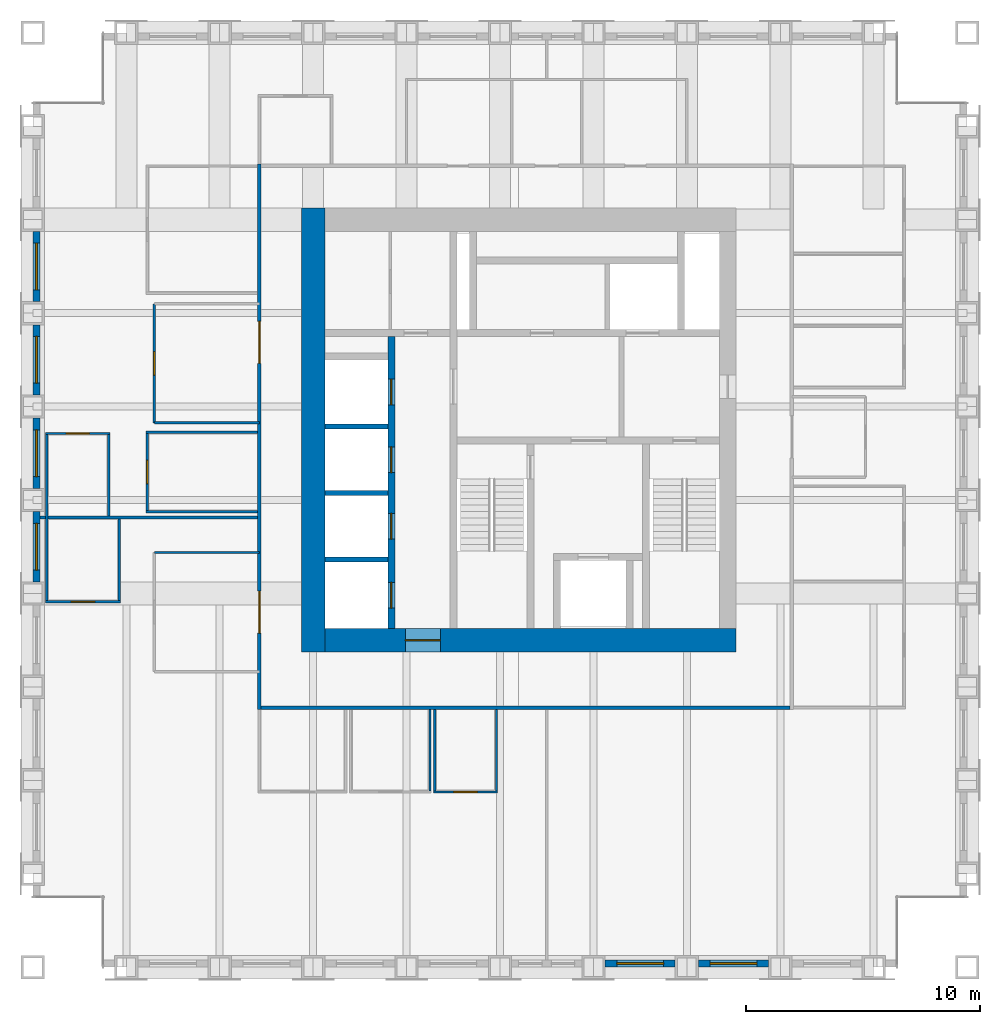
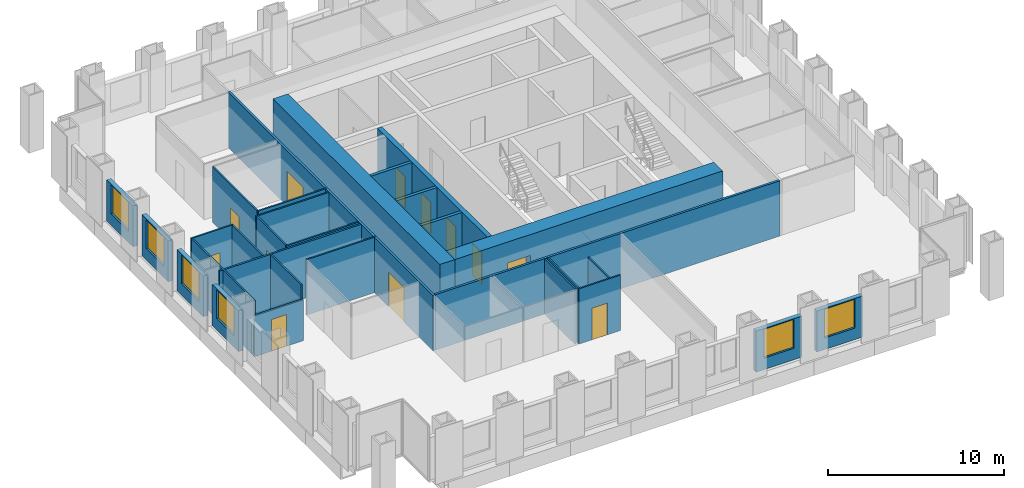
# One storey, part 8 of 13: 30 walls, 12 doors, 6 windows, 18 openings.
"""IFC4 building model written with IfcOpenShell, lengths in metres."""

import ifcopenshell
import ifcopenshell.guid

model = None  # the IFC model being written
_history = None  # IfcOwnerHistory: only IFC2X3 demands one
_inside = {}  # id of a spatial element -> (the spatial element, [elements in it])
_under = {}  # id of a project, library or spatial element -> (it, [spatial elements below it])
_declared = {}  # id of a project -> (the project, [libraries it declares])
_typed = {}  # id of a type object -> (the type object, [elements of that type])
_made_of = {}  # id of a material, layer set ... -> (it, [elements and type objects made of it])


def new_model(schema):
    """Start an empty IFC model of exactly this schema.

    Asked for "IFC4X3", IfcOpenShell would pick the latest addendum, in which some entities
    have other attributes; the version numbers below select the first issue.
    IFC2X3 requires an IfcOwnerHistory on every rooted entity: one is made here for all.
    """
    global model, _history
    if schema == "IFC4X3":
        model = ifcopenshell.file(schema_version=(4, 3, 0, 0))
    else:
        model = ifcopenshell.file(schema=schema)
    _inside.clear()
    _under.clear()
    _declared.clear()
    _typed.clear()
    _made_of.clear()
    _history = None
    if model.schema == "IFC2X3":
        org = make("IfcOrganization", Name="unknown")
        user = make(
            "IfcPersonAndOrganization",
            ThePerson=make("IfcPerson", FamilyName="unknown"),
            TheOrganization=org,
        )
        app = make(
            "IfcApplication",
            ApplicationDeveloper=org,
            Version="unknown",
            ApplicationFullName="unknown",
            ApplicationIdentifier="unknown",
        )
        _history = make(
            "IfcOwnerHistory",
            OwningUser=user,
            OwningApplication=app,
            ChangeAction="ADDED",
            CreationDate=0,
        )
    return model


def make(cls, **values):
    """One entity of the class cls with the attributes given. An attribute that is None is left unset."""
    return model.create_entity(
        cls, **{name: value for name, value in values.items() if value is not None}
    )


def rooted(cls, **values):
    """An entity with a GlobalId (a new one), such as an element, a storey or a relation."""
    return make(cls, GlobalId=ifcopenshell.guid.new(), OwnerHistory=_history, **values)


def si_unit(unit_type, name, prefix=None):
    """IfcSIUnit, for example si_unit("LENGTHUNIT", "METRE", prefix="MILLI")."""
    return make("IfcSIUnit", UnitType=unit_type, Prefix=prefix, Name=name)


def assignment(units):
    """IfcUnitAssignment: the units of a project."""
    return None if units is None else make("IfcUnitAssignment", Units=units)


def point(xyz):
    """IfcCartesianPoint."""
    return None if xyz is None else make("IfcCartesianPoint", Coordinates=xyz)


def direction(xyz):
    """IfcDirection."""
    return None if xyz is None else make("IfcDirection", DirectionRatios=xyz)


def frame(location, z_axis=None, x_axis=None):
    """IfcAxis2Placement3D, a coordinate frame: its origin and axes. An axis left out is left unset."""
    return make(
        "IfcAxis2Placement3D",
        Location=point(location),
        Axis=direction(z_axis),
        RefDirection=direction(x_axis),
    )


def frame_2d(location, x_axis=None):
    """IfcAxis2Placement2D, a coordinate frame in the plane: its origin and x axis."""
    return make(
        "IfcAxis2Placement2D", Location=point(location), RefDirection=direction(x_axis)
    )


def origin():
    """The frame at (0, 0, 0) with its axes left unset."""
    return frame((0.0, 0.0, 0.0))


def place(relative_to, where):
    """IfcLocalPlacement: puts the frame where relative to a parent placement (None: the world)."""
    return make(
        "IfcLocalPlacement", PlacementRelTo=relative_to, RelativePlacement=where
    )


def context(
    kind, dimensions, precision=None, world=None, true_north=None, identifier=None
):
    """IfcGeometricRepresentationContext, for example the 3D "Model" context."""
    return make(
        "IfcGeometricRepresentationContext",
        ContextIdentifier=identifier,
        ContextType=kind,
        CoordinateSpaceDimension=dimensions,
        Precision=precision,
        WorldCoordinateSystem=world,
        TrueNorth=true_north,
    )


def subcontext(parent, identifier, kind, view, scale=None):
    """IfcGeometricRepresentationSubContext, for example "Body" below "Model"."""
    return make(
        "IfcGeometricRepresentationSubContext",
        ContextIdentifier=identifier,
        ContextType=kind,
        ParentContext=parent,
        TargetScale=scale,
        TargetView=view,
    )


def project(units=None, contexts=None):
    """IfcProject with its units and contexts."""
    return rooted(
        "IfcProject",
        Name="project",
        RepresentationContexts=contexts,
        UnitsInContext=assignment(units),
    )


def spatial(cls, under=None, at=None, **own):
    """A site, building, storey or space (cls), placed at a placement, below another one or the project."""
    s = rooted(cls, ObjectPlacement=at, **own)
    if under is not None:
        _under.setdefault(under.id(), (under, []))[1].append(s)
    return s


def profile(cls, at=None, kind="AREA", **sizes):
    """A parametric profile (cls). Its sizes go by their IFC names, for example OverallWidth=200.0."""
    return make(cls, ProfileType=kind, Position=at, **sizes)


def rectangle(**sizes):
    """IfcRectangleProfileDef."""
    return profile("IfcRectangleProfileDef", **sizes)


def extrude(swept, where, along, depth):
    """IfcExtrudedAreaSolid: the profile swept, set in the frame where, extruded along a direction by depth."""
    return make(
        "IfcExtrudedAreaSolid",
        SweptArea=swept,
        Position=where,
        ExtrudedDirection=direction(along),
        Depth=depth,
    )


def shape(context_of_items, identifier, shape_type, items):
    """IfcShapeRepresentation: the items that make up one representation, for example the "Body"."""
    return make(
        "IfcShapeRepresentation",
        ContextOfItems=context_of_items,
        RepresentationIdentifier=identifier,
        RepresentationType=shape_type,
        Items=items,
    )


def material(Name=None, Category=None):
    """IfcMaterial."""
    return make("IfcMaterial", Name=Name, Category=Category)


def layer(
    of_material, thickness, ventilated=None, Name=None, Category=None, Priority=None
):
    """IfcMaterialLayer: one layer of a wall or slab, of a material (None: an air gap)."""
    return make(
        "IfcMaterialLayer",
        Material=of_material,
        LayerThickness=thickness,
        IsVentilated=ventilated,
        Name=Name,
        Category=Category,
        Priority=Priority,
    )


def layer_set(layers, Name=None):
    """IfcMaterialLayerSet."""
    return make("IfcMaterialLayerSet", MaterialLayers=layers, LayerSetName=Name)


def made_of(thing, what):
    """Note that an element or type object is made of a material, layer set ...; save() writes the relation."""
    if what is not None:
        _made_of.setdefault(what.id(), (what, []))[1].append(thing)
    return thing


def type_object(cls, material=None, **own):
    """A type object (cls), such as IfcWallType, which elements share."""
    return made_of(rooted(cls, **own), material)


def element(
    cls,
    number,
    at=None,
    inside=None,
    cuts=None,
    type_object=None,
    material=None,
    context=None,
    identifier="Body",
    shape_type=None,
    held_by="IfcProductDefinitionShape",
    body=None,
    shapes=None,
    **own,
):
    """One element of the class cls, such as IfcWall. Its Tag is "e" and its number.

    at: its placement. inside: the storey or other place that contains it. cuts: it is an
    opening in that element (IfcRelVoidsElement). A single representation is given by context,
    identifier, shape_type and body (its items); several are given by shapes. held_by: the class
    of the entity that holds the representations. save() writes the other relations.
    """
    e = rooted(cls, Tag="e%d" % number, ObjectPlacement=at, **own)
    if body is not None:
        shapes = [shape(context, identifier, shape_type, body)]
    if shapes is not None:
        e.Representation = make(held_by, Representations=shapes)
    if inside is not None:
        _inside.setdefault(inside.id(), (inside, []))[1].append(e)
    if cuts is not None:
        rooted(
            "IfcRelVoidsElement", RelatingBuildingElement=cuts, RelatedOpeningElement=e
        )
    if type_object is not None:
        _typed.setdefault(type_object.id(), (type_object, []))[1].append(e)
    return made_of(e, material)


def fill(opening, filler):
    """IfcRelFillsElement: the door or window that sits in an opening."""
    return rooted(
        "IfcRelFillsElement",
        RelatingOpeningElement=opening,
        RelatedBuildingElement=filler,
    )


def aggregate(whole, parts):
    """IfcRelAggregates: a whole, such as a stair, and the parts it consists of."""
    return rooted("IfcRelAggregates", RelatingObject=whole, RelatedObjects=parts)


def save(model, path):
    """Write the relations noted so far, then the file.

    IfcRelAggregates (storeys below a building ...), IfcRelContainedInSpatialStructure (elements
    in a storey), IfcRelDefinesByType, IfcRelAssociatesMaterial and IfcRelDeclares: one each for
    every whole, place, type object, material and project.
    """
    for whole, parts in _under.values():
        aggregate(whole, parts)
    for where, things in _inside.values():
        rooted(
            "IfcRelContainedInSpatialStructure",
            RelatedElements=things,
            RelatingStructure=where,
        )
    for kind, things in _typed.values():
        rooted("IfcRelDefinesByType", RelatedObjects=things, RelatingType=kind)
    for what, things in _made_of.values():
        rooted("IfcRelAssociatesMaterial", RelatedObjects=things, RelatingMaterial=what)
    for by, libraries in _declared.values():
        rooted("IfcRelDeclares", RelatingContext=by, RelatedDefinitions=libraries)
    model.write(path)


model = new_model("IFC4")

# Units and contexts
model_context = context("Model", 3, precision=1e-05, world=origin(), true_north=direction((0.0, 1.0)))
body_context = subcontext(model_context, "Body", "Model", "MODEL_VIEW")
ifc_project = project(units=[si_unit("LENGTHUNIT", "METRE"), si_unit("AREAUNIT", "SQUARE_METRE"), si_unit("VOLUMEUNIT", "CUBIC_METRE"), si_unit("PLANEANGLEUNIT", "RADIAN"), si_unit("MASSUNIT", "GRAM", prefix="KILO")], contexts=[model_context])

# Site, building, storey
site_placement = place(None, origin())
site = spatial("IfcSite", under=ifc_project, at=site_placement, CompositionType="ELEMENT")
building_placement = place(site_placement, origin())
building = spatial("IfcBuilding", under=site, at=building_placement, Name="Rimbunsela Tower", CompositionType="ELEMENT")
storey_placement = place(building_placement, frame((0.0, 0.0, 290.199951171875)))
storey = spatial("IfcBuildingStorey", under=building, at=storey_placement, Name="L70", CompositionType="ELEMENT", Elevation=290.199951171875)

# Wall, openings, doors
ifc_material_1 = material(Name="Concrete fc' 80 MPa", Category="concrete")
ifc_layer_1 = layer(ifc_material_1, 0.300048828125)
ifc_layer_set_1 = layer_set([ifc_layer_1], Name="Core internal wall 300")
wall_type_1 = type_object("IfcWallType", Name="Core internal wall 300", PredefinedType="SHEAR", material=ifc_layer_set_1)
wall_1_placement = place(storey_placement, frame((21.35009765625, 18.5, -0.14990234375), z_axis=(0.0, 0.0, 1.0), x_axis=(0.0, 1.0, 0.0)))
wall_1 = element("IfcWall", 1, at=wall_1_placement, inside=storey, type_object=wall_type_1, Name="Lift shaft front west", PredefinedType="SHEAR", context=body_context, shape_type="SweptSolid", body=[
    extrude(rectangle(XDim=12.5, YDim=0.300048828125, at=frame_2d((6.25, 0.0))), origin(), (0.0, 0.0, 1.0), 4.0),
])
opening_1_placement = place(wall_1_placement, frame((0.875, 0.0, 0.14990234375)))
opening_1 = element("IfcOpeningElement", 2, at=opening_1_placement, cuts=wall_1, Name="Opening LD1", PredefinedType="OPENING", context=body_context, shape_type="SweptSolid", body=[
    extrude(rectangle(XDim=1.10009765625, YDim=2.199951171875, at=frame_2d((0.550048828125, 1.10009765625))), frame((0.0, 0.159912109375, 0.0), z_axis=(0.0, -1.0, 0.0), x_axis=(1.0, 0.0, 0.0)), (0.0, 0.0, 1.0), 0.320068359375),
])
opening_2_placement = place(wall_1_placement, frame((3.824951171875, 0.0, 0.14990234375)))
opening_2 = element("IfcOpeningElement", 3, at=opening_2_placement, cuts=wall_1, Name="Opening LD1", PredefinedType="OPENING", context=body_context, shape_type="SweptSolid", body=[
    extrude(rectangle(XDim=1.10009765625, YDim=2.199951171875, at=frame_2d((0.550048828125, 1.10009765625))), frame((0.0, 0.159912109375, 0.0), z_axis=(0.0, -1.0, 0.0), x_axis=(1.0, 0.0, 0.0)), (0.0, 0.0, 1.0), 0.320068359375),
])
opening_3_placement = place(wall_1_placement, frame((6.675048828125, 0.0, 0.14990234375)))
opening_3 = element("IfcOpeningElement", 4, at=opening_3_placement, cuts=wall_1, Name="Opening LD1", PredefinedType="OPENING", context=body_context, shape_type="SweptSolid", body=[
    extrude(rectangle(XDim=1.10009765625, YDim=2.199951171875, at=frame_2d((0.550048828125, 1.10009765625))), frame((0.0, 0.159912109375, 0.0), z_axis=(0.0, -1.0, 0.0), x_axis=(1.0, 0.0, 0.0)), (0.0, 0.0, 1.0), 0.320068359375),
])
opening_4_placement = place(wall_1_placement, frame((9.574951171875, 0.0, 0.14990234375)))
opening_4 = element("IfcOpeningElement", 5, at=opening_4_placement, cuts=wall_1, Name="Opening LD1", PredefinedType="OPENING", context=body_context, shape_type="SweptSolid", body=[
    extrude(rectangle(XDim=1.10009765625, YDim=2.199951171875, at=frame_2d((0.550048828125, 1.10009765625))), frame((0.0, 0.159912109375, 0.0), z_axis=(0.0, -1.0, 0.0), x_axis=(1.0, 0.0, 0.0)), (0.0, 0.0, 1.0), 0.320068359375),
])
ifc_material_2 = material(Name="Steel door, fire rated", Category="steel")
door_type_1 = type_object("IfcDoorType", Name="Lift landing door 1100", OperationType="DOUBLE_DOOR_SLIDING", PredefinedType="DOOR", material=ifc_material_2)
door_1_placement = place(opening_1_placement, origin())
door_1 = element("IfcDoor", 6, at=door_1_placement, inside=storey, type_object=door_type_1, Name="Lift landing door TL1", OperationType="DOUBLE_DOOR_SLIDING", OverallHeight=2.199951171875, OverallWidth=1.10009765625, PredefinedType="DOOR", context=body_context, shape_type="SweptSolid", body=[
    extrude(rectangle(XDim=1.10009765625, YDim=2.199951171875, at=frame_2d((0.550048828125, 1.10009765625))), frame((0.0, 0.02490234375, 0.0), z_axis=(0.0, -1.0, 0.0), x_axis=(1.0, 0.0, 0.0)), (0.0, 0.0, 1.0), 0.050048828125),
])
fill(opening_1, door_1)
door_2_placement = place(opening_2_placement, origin())
door_2 = element("IfcDoor", 7, at=door_2_placement, inside=storey, type_object=door_type_1, Name="Lift landing door TL2", OperationType="DOUBLE_DOOR_SLIDING", OverallHeight=2.199951171875, OverallWidth=1.10009765625, PredefinedType="DOOR", context=body_context, shape_type="SweptSolid", body=[
    extrude(rectangle(XDim=1.10009765625, YDim=2.199951171875, at=frame_2d((0.550048828125, 1.10009765625))), frame((0.0, 0.02490234375, 0.0), z_axis=(0.0, -1.0, 0.0), x_axis=(1.0, 0.0, 0.0)), (0.0, 0.0, 1.0), 0.050048828125),
])
fill(opening_2, door_2)
door_3_placement = place(opening_3_placement, origin())
door_3 = element("IfcDoor", 8, at=door_3_placement, inside=storey, type_object=door_type_1, Name="Lift landing door TL3", OperationType="DOUBLE_DOOR_SLIDING", OverallHeight=2.199951171875, OverallWidth=1.10009765625, PredefinedType="DOOR", context=body_context, shape_type="SweptSolid", body=[
    extrude(rectangle(XDim=1.10009765625, YDim=2.199951171875, at=frame_2d((0.550048828125, 1.10009765625))), frame((0.0, 0.02490234375, 0.0), z_axis=(0.0, -1.0, 0.0), x_axis=(1.0, 0.0, 0.0)), (0.0, 0.0, 1.0), 0.050048828125),
])
fill(opening_3, door_3)
door_4_placement = place(opening_4_placement, origin())
door_4 = element("IfcDoor", 9, at=door_4_placement, inside=storey, type_object=door_type_1, Name="Lift landing door TL4", OperationType="DOUBLE_DOOR_SLIDING", OverallHeight=2.199951171875, OverallWidth=1.10009765625, PredefinedType="DOOR", context=body_context, shape_type="SweptSolid", body=[
    extrude(rectangle(XDim=1.10009765625, YDim=2.199951171875, at=frame_2d((0.550048828125, 1.10009765625))), frame((0.0, 0.02490234375, 0.0), z_axis=(0.0, -1.0, 0.0), x_axis=(1.0, 0.0, 0.0)), (0.0, 0.0, 1.0), 0.050048828125),
])
fill(opening_4, door_4)

# Wall
ifc_material_3 = material(Name="Concrete fc' 80 MPa", Category="concrete")
ifc_layer_2 = layer(ifc_material_3, 1.0)
ifc_layer_set_2 = layer_set([ifc_layer_2], Name="Core wall 1000")
wall_type_2 = type_object("IfcWallType", Name="Core wall 1000", PredefinedType="SHEAR", material=ifc_layer_set_2)
wall_2_placement = place(storey_placement, frame((18.0, 17.5, -0.14990234375), z_axis=(0.0, 0.0, 1.0), x_axis=(0.0, 1.0, 0.0)))
element("IfcWall", 10, at=wall_2_placement, inside=storey, type_object=wall_type_2, Name="Core wall west", PredefinedType="SHEAR", context=body_context, shape_type="SweptSolid", body=[
    extrude(rectangle(XDim=19.0, YDim=1.0, at=frame_2d((9.5, 0.0))), origin(), (0.0, 0.0, 1.0), 4.0),
])

# Wall, opening, door
wall_3_placement = place(storey_placement, frame((18.5, 18.0, -0.14990234375), z_axis=(0.0, 0.0, 1.0), x_axis=(1.0, 0.0, 0.0)))
wall_3 = element("IfcWall", 11, at=wall_3_placement, inside=storey, type_object=wall_type_2, Name="Core wall south", PredefinedType="SHEAR", context=body_context, shape_type="SweptSolid", body=[
    extrude(rectangle(XDim=17.60009765625, YDim=1.0, at=frame_2d((8.800048828125, 0.0))), origin(), (0.0, 0.0, 1.0), 4.0),
])
opening_5_placement = place(wall_3_placement, frame((3.449951171875, 0.0, 0.14990234375)))
opening_5 = element("IfcOpeningElement", 12, at=opening_5_placement, cuts=wall_3, Name="Opening D03", PredefinedType="OPENING", context=body_context, shape_type="SweptSolid", body=[
    extrude(rectangle(XDim=1.5, YDim=2.39990234375, at=frame_2d((0.75, 1.199951171875))), frame((0.0, 0.510009765625, 0.0), z_axis=(0.0, -1.0, 0.0), x_axis=(1.0, 0.0, 0.0)), (0.0, 0.0, 1.0), 1.02001953125),
])
ifc_material_4 = material(Name="Steel door, fire rated", Category="steel")
door_type_2 = type_object("IfcDoorType", Name="Core lobby door 1500", OperationType="DOUBLE_DOOR_DOUBLE_SWING", PredefinedType="DOOR", material=ifc_material_4)
door_5_placement = place(opening_5_placement, origin())
door_5 = element("IfcDoor", 13, at=door_5_placement, inside=storey, type_object=door_type_2, Name="Core door south", OperationType="DOUBLE_DOOR_DOUBLE_SWING", OverallHeight=2.39990234375, OverallWidth=1.5, PredefinedType="DOOR", context=body_context, shape_type="SweptSolid", body=[
    extrude(rectangle(XDim=1.5, YDim=2.39990234375, at=frame_2d((0.75, 1.199951171875))), frame((0.0, 0.02490234375, 0.0), z_axis=(0.0, -1.0, 0.0), x_axis=(1.0, 0.0, 0.0)), (0.0, 0.0, 1.0), 0.050048828125),
])
fill(opening_5, door_5)

# Walls
ifc_material_5 = material(Name="Concrete blockwork", Category="masonry")
ifc_layer_3 = layer(ifc_material_5, 0.199951171875)
ifc_layer_set_3 = layer_set([ifc_layer_3], Name="Lift shaft wall 200")
wall_type_3 = type_object("IfcWallType", Name="Lift shaft wall 200", PredefinedType="SOLIDWALL", material=ifc_layer_set_3)
for number, where, z_axis, x_axis, name in (
    (14, (18.5, 21.449951171875, -0.14990234375), (0.0, 0.0, 1.0), (1.0, 0.0, 0.0), "Lift shaft separation"),
    (15, (18.5, 24.300048828125, -0.14990234375), (0.0, 0.0, 1.0), (1.0, 0.0, 0.0), "Lift shaft separation"),
    (16, (18.5, 27.14990234375, -0.14990234375), (0.0, 0.0, 1.0), (1.0, 0.0, 0.0), "Lift shaft separation"),
):
    element("IfcWall", number, at=place(storey_placement, frame(where, z_axis=z_axis, x_axis=x_axis)), inside=storey, type_object=wall_type_3, Name=name, PredefinedType="SOLIDWALL", context=body_context, shape_type="SweptSolid", body=[
        extrude(rectangle(XDim=2.699951171875, YDim=0.199951171875, at=frame_2d((1.35009765625, 0.0))), origin(), (0.0, 0.0, 1.0), 4.0),
    ])

# Wall, opening, door
ifc_material_6 = material(Name="Gypsum board on steel studs", Category="steel")
ifc_layer_4 = layer(ifc_material_6, 0.10009765625)
ifc_layer_set_4 = layer_set([ifc_layer_4], Name="Office partition 100")
wall_type_4 = type_object("IfcWallType", Name="Office partition 100", PredefinedType="PARTITIONING", material=ifc_layer_set_4)
wall_4_placement = place(storey_placement, frame((23.14990234375, 11.5, 0.0), z_axis=(0.0, 0.0, 1.0), x_axis=(1.0, 0.0, 0.0)))
wall_4 = element("IfcWall", 17, at=wall_4_placement, inside=storey, type_object=wall_type_4, Name="Office partition", PredefinedType="PARTITIONING", context=body_context, shape_type="SweptSolid", body=[
    extrude(rectangle(XDim=2.75, YDim=0.10009765625, at=frame_2d((1.375, 0.0))), origin(), (0.0, 0.0, 1.0), 3.85009765625),
])
opening_6_placement = place(wall_4_placement, frame((0.875, 0.0, 0.0)))
opening_6 = element("IfcOpeningElement", 18, at=opening_6_placement, cuts=wall_4, Name="Opening D16", PredefinedType="OPENING", context=body_context, shape_type="SweptSolid", body=[
    extrude(rectangle(XDim=1.0, YDim=2.199951171875, at=frame_2d((0.5, 1.10009765625))), frame((0.0, 0.06005859375, 0.0), z_axis=(0.0, -1.0, 0.0), x_axis=(1.0, 0.0, 0.0)), (0.0, 0.0, 1.0), 0.1201171875),
])
ifc_material_7 = material(Name="Timber door", Category="wood")
door_type_3 = type_object("IfcDoorType", Name="Office door 1000", OperationType="SINGLE_SWING_LEFT", PredefinedType="DOOR", material=ifc_material_7)
door_6_placement = place(opening_6_placement, origin())
door_6 = element("IfcDoor", 19, at=door_6_placement, inside=storey, type_object=door_type_3, Name="Office door", OperationType="SINGLE_SWING_LEFT", OverallHeight=2.199951171875, OverallWidth=1.0, PredefinedType="DOOR", context=body_context, shape_type="SweptSolid", body=[
    extrude(rectangle(XDim=1.0, YDim=2.199951171875, at=frame_2d((0.5, 1.10009765625))), frame((0.0, 0.02490234375, 0.0), z_axis=(0.0, -1.0, 0.0), x_axis=(1.0, 0.0, 0.0)), (0.0, 0.0, 1.0), 0.050048828125),
])
fill(opening_6, door_6)

wall_5_placement = place(storey_placement, frame((6.550048828125, 19.64990234375, 0.0), z_axis=(0.0, 0.0, 1.0), x_axis=(1.0, 0.0, 0.0)))
wall_5 = element("IfcWall", 20, at=wall_5_placement, inside=storey, type_object=wall_type_4, Name="Office partition", PredefinedType="PARTITIONING", context=body_context, shape_type="SweptSolid", body=[
    extrude(rectangle(XDim=3.199951171875, YDim=0.10009765625, at=frame_2d((1.60009765625, 0.0))), origin(), (0.0, 0.0, 1.0), 2.85009765625),
])
opening_7_placement = place(wall_5_placement, frame((1.10009765625, 0.0, 0.0)))
opening_7 = element("IfcOpeningElement", 21, at=opening_7_placement, cuts=wall_5, Name="Opening D16", PredefinedType="OPENING", context=body_context, shape_type="SweptSolid", body=[
    extrude(rectangle(XDim=1.0, YDim=2.199951171875, at=frame_2d((0.5, 1.10009765625))), frame((0.0, 0.06005859375, 0.0), z_axis=(0.0, -1.0, 0.0), x_axis=(1.0, 0.0, 0.0)), (0.0, 0.0, 1.0), 0.1201171875),
])
door_7_placement = place(opening_7_placement, origin())
door_7 = element("IfcDoor", 22, at=door_7_placement, inside=storey, type_object=door_type_3, Name="Office door", OperationType="SINGLE_SWING_LEFT", OverallHeight=2.199951171875, OverallWidth=1.0, PredefinedType="DOOR", context=body_context, shape_type="SweptSolid", body=[
    extrude(rectangle(XDim=1.0, YDim=2.199951171875, at=frame_2d((0.5, 1.10009765625))), frame((0.0, 0.02490234375, 0.0), z_axis=(0.0, -1.0, 0.0), x_axis=(1.0, 0.0, 0.0)), (0.0, 0.0, 1.0), 0.050048828125),
])
fill(opening_7, door_7)

# Wall
wall_6_placement = place(storey_placement, frame((10.85009765625, 23.5, 0.0), z_axis=(0.0, 0.0, 1.0), x_axis=(1.0, 0.0, 0.0)))
element("IfcWall", 23, at=wall_6_placement, inside=storey, type_object=wall_type_4, Name="Office partition", PredefinedType="PARTITIONING", context=body_context, shape_type="SweptSolid", body=[
    extrude(rectangle(XDim=4.77490234375, YDim=0.10009765625, at=frame_2d((2.387451171875, 0.0))), origin(), (0.0, 0.0, 1.0), 3.85009765625),
])

# Wall, opening, door
wall_7_placement = place(storey_placement, frame((6.550048828125, 26.85009765625, 0.0), z_axis=(0.0, 0.0, 1.0), x_axis=(1.0, 0.0, 0.0)))
wall_7 = element("IfcWall", 24, at=wall_7_placement, inside=storey, type_object=wall_type_4, Name="Office partition", PredefinedType="PARTITIONING", context=body_context, shape_type="SweptSolid", body=[
    extrude(rectangle(XDim=2.75, YDim=0.10009765625, at=frame_2d((1.375, 0.0))), origin(), (0.0, 0.0, 1.0), 3.85009765625),
])
opening_8_placement = place(wall_7_placement, frame((0.875, 0.0, 0.0)))
opening_8 = element("IfcOpeningElement", 25, at=opening_8_placement, cuts=wall_7, Name="Opening D16", PredefinedType="OPENING", context=body_context, shape_type="SweptSolid", body=[
    extrude(rectangle(XDim=1.0, YDim=2.199951171875, at=frame_2d((0.5, 1.10009765625))), frame((0.0, 0.06005859375, 0.0), z_axis=(0.0, -1.0, 0.0), x_axis=(1.0, 0.0, 0.0)), (0.0, 0.0, 1.0), 0.1201171875),
])
door_8_placement = place(opening_8_placement, origin())
door_8 = element("IfcDoor", 26, at=door_8_placement, inside=storey, type_object=door_type_3, Name="Office door", OperationType="SINGLE_SWING_LEFT", OverallHeight=2.199951171875, OverallWidth=1.0, PredefinedType="DOOR", context=body_context, shape_type="SweptSolid", body=[
    extrude(rectangle(XDim=1.0, YDim=2.199951171875, at=frame_2d((0.5, 1.10009765625))), frame((0.0, 0.02490234375, 0.0), z_axis=(0.0, -1.0, 0.0), x_axis=(1.0, 0.0, 0.0)), (0.0, 0.0, 1.0), 0.050048828125),
])
fill(opening_8, door_8)

# Walls
wall_8_placement = place(storey_placement, frame((10.85009765625, 26.89990234375, 0.0), z_axis=(0.0, 0.0, 1.0), x_axis=(1.0, 0.0, 0.0)))
element("IfcWall", 27, at=wall_8_placement, inside=storey, type_object=wall_type_4, Name="Office partition", PredefinedType="PARTITIONING", context=body_context, shape_type="SweptSolid", body=[
    extrude(rectangle(XDim=4.77490234375, YDim=0.10009765625, at=frame_2d((2.387451171875, 0.0))), origin(), (0.0, 0.0, 1.0), 3.85009765625),
])
wall_9_placement = place(storey_placement, frame((6.60009765625, 19.699951171875, 0.0), z_axis=(0.0, 0.0, 1.0), x_axis=(0.0, 1.0, 0.0)))
element("IfcWall", 28, at=wall_9_placement, inside=storey, type_object=wall_type_4, Name="Office partition", PredefinedType="PARTITIONING", context=body_context, shape_type="SweptSolid", body=[
    extrude(rectangle(XDim=7.10009765625, YDim=0.10009765625, at=frame_2d((3.550048828125, 0.0))), origin(), (0.0, 0.0, 1.0), 3.85009765625),
])
for number, where, z_axis, x_axis, name in (
    (29, (9.25, 23.31005859375, 0.0), (0.0, 0.0, 1.0), (0.0, 1.0, 0.0), "Office partition"),
    (30, (9.699951171875, 19.699951171875, 0.0), (0.0, 0.0, 1.0), (0.0, 1.0, 0.0), "Office partition"),
):
    element("IfcWall", number, at=place(storey_placement, frame(where, z_axis=z_axis, x_axis=x_axis)), inside=storey, type_object=wall_type_4, Name=name, PredefinedType="PARTITIONING", context=body_context, shape_type="SweptSolid", body=[
        extrude(rectangle(XDim=3.489990234375, YDim=0.10009765625, at=frame_2d((1.7451171875, 0.0))), origin(), (0.0, 0.0, 1.0), 3.85009765625),
    ])

# Wall, opening, door
wall_10_placement = place(storey_placement, frame((10.89990234375, 23.550048828125, 0.0), z_axis=(0.0, 0.0, 1.0), x_axis=(0.0, 1.0, 0.0)))
wall_10 = element("IfcWall", 31, at=wall_10_placement, inside=storey, type_object=wall_type_4, Name="Office partition", PredefinedType="PARTITIONING", context=body_context, shape_type="SweptSolid", body=[
    extrude(rectangle(XDim=3.300048828125, YDim=0.10009765625, at=frame_2d((1.64990234375, 0.0))), origin(), (0.0, 0.0, 1.0), 3.85009765625),
])
opening_9_placement = place(wall_10_placement, frame((1.14990234375, 0.0, 0.0)))
opening_9 = element("IfcOpeningElement", 32, at=opening_9_placement, cuts=wall_10, Name="Opening D16", PredefinedType="OPENING", context=body_context, shape_type="SweptSolid", body=[
    extrude(rectangle(XDim=1.0, YDim=2.199951171875, at=frame_2d((0.5, 1.10009765625))), frame((0.0, 0.06005859375, 0.0), z_axis=(0.0, -1.0, 0.0), x_axis=(1.0, 0.0, 0.0)), (0.0, 0.0, 1.0), 0.1201171875),
])
door_9_placement = place(opening_9_placement, origin())
door_9 = element("IfcDoor", 33, at=door_9_placement, inside=storey, type_object=door_type_3, Name="Office door", OperationType="SINGLE_SWING_LEFT", OverallHeight=2.199951171875, OverallWidth=1.0, PredefinedType="DOOR", context=body_context, shape_type="SweptSolid", body=[
    extrude(rectangle(XDim=1.0, YDim=2.199951171875, at=frame_2d((0.5, 1.10009765625))), frame((0.0, 0.02490234375, 0.0), z_axis=(0.0, -1.0, 0.0), x_axis=(1.0, 0.0, 0.0)), (0.0, 0.0, 1.0), 0.050048828125),
])
fill(opening_9, door_9)

# Walls
for number, where, z_axis, x_axis, name in (
    (34, (23.0, 11.550048828125, 0.0), (0.0, 0.0, 1.0), (0.0, 1.0, 0.0), "Office partition"),
    (35, (23.199951171875, 11.550048828125, 0.0), (0.0, 0.0, 1.0), (0.0, 1.0, 0.0), "Office partition"),
):
    element("IfcWall", number, at=place(storey_placement, frame(where, z_axis=z_axis, x_axis=x_axis)), inside=storey, type_object=wall_type_4, Name=name, PredefinedType="PARTITIONING", context=body_context, shape_type="SweptSolid", body=[
        extrude(rectangle(XDim=3.474853515625, YDim=0.10009765625, at=frame_2d((1.7373046875, 0.0))), origin(), (0.0, 0.0, 1.0), 3.85009765625),
    ])
wall_11_placement = place(storey_placement, frame((25.85009765625, 11.550048828125, 0.0), z_axis=(0.0, 0.0, 1.0), x_axis=(0.0, 1.0, 0.0)))
element("IfcWall", 36, at=wall_11_placement, inside=storey, type_object=wall_type_4, Name="Office partition", PredefinedType="PARTITIONING", context=body_context, shape_type="SweptSolid", body=[
    extrude(rectangle(XDim=3.474853515625, YDim=0.10009765625, at=frame_2d((1.7373046875, 0.0))), origin(), (0.0, 0.0, 1.0), 2.949951171875),
])
wall_12_placement = place(storey_placement, frame((15.699951171875, 21.75, 0.0), z_axis=(0.0, 0.0, 1.0), x_axis=(-1.0, 0.0, 0.0)))
element("IfcWall", 37, at=wall_12_placement, inside=storey, type_object=wall_type_4, Name="Office partition", PredefinedType="PARTITIONING", context=body_context, shape_type="SweptSolid", body=[
    extrude(rectangle(XDim=4.5, YDim=0.10009765625, at=frame_2d((2.25, 0.0))), origin(), (0.0, 0.0, 1.0), 3.85009765625),
])

# Wall, opening, door
wall_13_placement = place(storey_placement, frame((11.199951171875, 32.39990234375, 0.0), z_axis=(0.0, 0.0, 1.0), x_axis=(0.0, -1.0, 0.0)))
wall_13 = element("IfcWall", 38, at=wall_13_placement, inside=storey, type_object=wall_type_4, Name="Office partition", PredefinedType="PARTITIONING", context=body_context, shape_type="SweptSolid", body=[
    extrude(rectangle(XDim=5.099853515625, YDim=0.10009765625, at=frame_2d((2.5498046875, 0.0))), origin(), (0.0, 0.0, 1.0), 3.85009765625),
])
opening_10_placement = place(wall_13_placement, frame((2.050048828125, 0.0, 0.0)))
opening_10 = element("IfcOpeningElement", 39, at=opening_10_placement, cuts=wall_13, Name="Opening D17", PredefinedType="OPENING", context=body_context, shape_type="SweptSolid", body=[
    extrude(rectangle(XDim=1.0, YDim=2.199951171875, at=frame_2d((0.5, 1.10009765625))), frame((0.0, 0.06005859375, 0.0), z_axis=(0.0, -1.0, 0.0), x_axis=(1.0, 0.0, 0.0)), (0.0, 0.0, 1.0), 0.1201171875),
])
ifc_material_8 = material(Name="Glazed aluminium door", Category="aluminium")
door_type_4 = type_object("IfcDoorType", Name="Meeting room door 1000 glazed", OperationType="SINGLE_SWING_RIGHT", PredefinedType="DOOR", material=ifc_material_8)
door_10_placement = place(opening_10_placement, origin())
door_10 = element("IfcDoor", 40, at=door_10_placement, inside=storey, type_object=door_type_4, Name="Reception door", OperationType="SINGLE_SWING_RIGHT", OverallHeight=2.199951171875, OverallWidth=1.0, PredefinedType="DOOR", context=body_context, shape_type="SweptSolid", body=[
    extrude(rectangle(XDim=1.0, YDim=2.199951171875, at=frame_2d((0.5, 1.10009765625))), frame((0.0, 0.02490234375, 0.0), z_axis=(0.0, -1.0, 0.0), x_axis=(1.0, 0.0, 0.0)), (0.0, 0.0, 1.0), 0.050048828125),
])
fill(opening_10, door_10)

# Wall
wall_14_placement = place(storey_placement, frame((11.199951171875, 27.300048828125, 0.0), z_axis=(0.0, 0.0, 1.0), x_axis=(1.0, 0.0, 0.0)))
element("IfcWall", 41, at=wall_14_placement, inside=storey, type_object=wall_type_4, Name="Office partition", PredefinedType="PARTITIONING", context=body_context, shape_type="SweptSolid", body=[
    extrude(rectangle(XDim=4.5, YDim=0.10009765625, at=frame_2d((2.25, 0.0))), origin(), (0.0, 0.0, 1.0), 3.85009765625),
])

# Wall, opening, window
ifc_material_9 = material(Name="Precast concrete fc' 35 MPa", Category="concrete")
ifc_layer_5 = layer(ifc_material_9, 0.300048828125)
ifc_layer_set_5 = layer_set([ifc_layer_5], Name="Precast concrete fc' 35 MPa")
wall_type_5 = type_object("IfcWallType", Name="Precast facade panel 300", PredefinedType="ELEMENTEDWALL", material=ifc_layer_set_5)
wall_15_placement = place(storey_placement, frame((30.5, 4.14990234375, 0.0), z_axis=(0.0, 0.0, 1.0), x_axis=(1.0, 0.0, 0.0)))
wall_15 = element("IfcWall", 42, at=wall_15_placement, inside=storey, type_object=wall_type_5, Name="Facade panel S L70", PredefinedType="ELEMENTEDWALL", context=body_context, shape_type="SweptSolid", body=[
    extrude(rectangle(XDim=3.0, YDim=0.300048828125, at=frame_2d((1.5, 0.0))), origin(), (0.0, 0.0, 1.0), 2.85009765625),
])
opening_11_placement = place(wall_15_placement, frame((0.5, 0.0, 0.800048828125)))
opening_11 = element("IfcOpeningElement", 43, at=opening_11_placement, cuts=wall_15, Name="Opening W1", PredefinedType="OPENING", context=body_context, shape_type="SweptSolid", body=[
    extrude(rectangle(XDim=2.0, YDim=2.0, at=frame_2d((1.0, 1.0))), frame((0.0, 0.159912109375, 0.0), z_axis=(0.0, -1.0, 0.0), x_axis=(1.0, 0.0, 0.0)), (0.0, 0.0, 1.0), 0.320068359375),
])
ifc_material_10 = material(Name="Clear glass in aluminium frame", Category="aluminium")
window_type = type_object("IfcWindowType", Name="Window W1 2000x2000", PartitioningType="DOUBLE_PANEL_VERTICAL", PredefinedType="WINDOW", material=ifc_material_10)
window_1_placement = place(opening_11_placement, origin())
window_1 = element("IfcWindow", 44, at=window_1_placement, inside=storey, type_object=window_type, Name="Window L70", OverallHeight=2.0, OverallWidth=2.0, PartitioningType="SINGLE_PANEL", PredefinedType="WINDOW", context=body_context, shape_type="SweptSolid", body=[
    extrude(rectangle(XDim=2.0, YDim=2.0, at=frame_2d((1.0, 1.0))), frame((0.0, 0.030029296875, 0.0), z_axis=(0.0, -1.0, 0.0), x_axis=(1.0, 0.0, 0.0)), (0.0, 0.0, 1.0), 0.06005859375),
])
fill(opening_11, window_1)

wall_16_placement = place(storey_placement, frame((34.5, 4.14990234375, 0.0), z_axis=(0.0, 0.0, 1.0), x_axis=(1.0, 0.0, 0.0)))
wall_16 = element("IfcWall", 45, at=wall_16_placement, inside=storey, type_object=wall_type_5, Name="Facade panel S L70", PredefinedType="ELEMENTEDWALL", context=body_context, shape_type="SweptSolid", body=[
    extrude(rectangle(XDim=3.0, YDim=0.300048828125, at=frame_2d((1.5, 0.0))), origin(), (0.0, 0.0, 1.0), 2.85009765625),
])
opening_12_placement = place(wall_16_placement, frame((0.5, 0.0, 0.800048828125)))
opening_12 = element("IfcOpeningElement", 46, at=opening_12_placement, cuts=wall_16, Name="Opening W1", PredefinedType="OPENING", context=body_context, shape_type="SweptSolid", body=[
    extrude(rectangle(XDim=2.0, YDim=2.0, at=frame_2d((1.0, 1.0))), frame((0.0, 0.159912109375, 0.0), z_axis=(0.0, -1.0, 0.0), x_axis=(1.0, 0.0, 0.0)), (0.0, 0.0, 1.0), 0.320068359375),
])
window_2_placement = place(opening_12_placement, origin())
window_2 = element("IfcWindow", 47, at=window_2_placement, inside=storey, type_object=window_type, Name="Window L70", OverallHeight=2.0, OverallWidth=2.0, PartitioningType="SINGLE_PANEL", PredefinedType="WINDOW", context=body_context, shape_type="SweptSolid", body=[
    extrude(rectangle(XDim=2.0, YDim=2.0, at=frame_2d((1.0, 1.0))), frame((0.0, 0.030029296875, 0.0), z_axis=(0.0, -1.0, 0.0), x_axis=(1.0, 0.0, 0.0)), (0.0, 0.0, 1.0), 0.06005859375),
])
fill(opening_12, window_2)

wall_17_placement = place(storey_placement, frame((6.14990234375, 23.5, 0.0), z_axis=(0.0, 0.0, 1.0), x_axis=(0.0, -1.0, 0.0)))
wall_17 = element("IfcWall", 48, at=wall_17_placement, inside=storey, type_object=wall_type_5, Name="Facade panel W L70", PredefinedType="ELEMENTEDWALL", context=body_context, shape_type="SweptSolid", body=[
    extrude(rectangle(XDim=3.0, YDim=0.300048828125, at=frame_2d((1.5, 0.0))), origin(), (0.0, 0.0, 1.0), 2.85009765625),
])
opening_13_placement = place(wall_17_placement, frame((0.5, 0.0, 0.800048828125)))
opening_13 = element("IfcOpeningElement", 49, at=opening_13_placement, cuts=wall_17, Name="Opening W1", PredefinedType="OPENING", context=body_context, shape_type="SweptSolid", body=[
    extrude(rectangle(XDim=2.0, YDim=2.0, at=frame_2d((1.0, 1.0))), frame((0.0, 0.159912109375, 0.0), z_axis=(0.0, -1.0, 0.0), x_axis=(1.0, 0.0, 0.0)), (0.0, 0.0, 1.0), 0.320068359375),
])
window_3_placement = place(opening_13_placement, origin())
window_3 = element("IfcWindow", 50, at=window_3_placement, inside=storey, type_object=window_type, Name="Window L70", OverallHeight=2.0, OverallWidth=2.0, PartitioningType="SINGLE_PANEL", PredefinedType="WINDOW", context=body_context, shape_type="SweptSolid", body=[
    extrude(rectangle(XDim=2.0, YDim=2.0, at=frame_2d((1.0, 1.0))), frame((0.0, 0.030029296875, 0.0), z_axis=(0.0, -1.0, 0.0), x_axis=(1.0, 0.0, 0.0)), (0.0, 0.0, 1.0), 0.06005859375),
])
fill(opening_13, window_3)

wall_18_placement = place(storey_placement, frame((6.14990234375, 27.5, 0.0), z_axis=(0.0, 0.0, 1.0), x_axis=(0.0, -1.0, 0.0)))
wall_18 = element("IfcWall", 51, at=wall_18_placement, inside=storey, type_object=wall_type_5, Name="Facade panel W L70", PredefinedType="ELEMENTEDWALL", context=body_context, shape_type="SweptSolid", body=[
    extrude(rectangle(XDim=3.0, YDim=0.300048828125, at=frame_2d((1.5, 0.0))), origin(), (0.0, 0.0, 1.0), 2.85009765625),
])
opening_14_placement = place(wall_18_placement, frame((0.5, 0.0, 0.800048828125)))
opening_14 = element("IfcOpeningElement", 52, at=opening_14_placement, cuts=wall_18, Name="Opening W1", PredefinedType="OPENING", context=body_context, shape_type="SweptSolid", body=[
    extrude(rectangle(XDim=2.0, YDim=2.0, at=frame_2d((1.0, 1.0))), frame((0.0, 0.159912109375, 0.0), z_axis=(0.0, -1.0, 0.0), x_axis=(1.0, 0.0, 0.0)), (0.0, 0.0, 1.0), 0.320068359375),
])
window_4_placement = place(opening_14_placement, origin())
window_4 = element("IfcWindow", 53, at=window_4_placement, inside=storey, type_object=window_type, Name="Window L70", OverallHeight=2.0, OverallWidth=2.0, PartitioningType="SINGLE_PANEL", PredefinedType="WINDOW", context=body_context, shape_type="SweptSolid", body=[
    extrude(rectangle(XDim=2.0, YDim=2.0, at=frame_2d((1.0, 1.0))), frame((0.0, 0.030029296875, 0.0), z_axis=(0.0, -1.0, 0.0), x_axis=(1.0, 0.0, 0.0)), (0.0, 0.0, 1.0), 0.06005859375),
])
fill(opening_14, window_4)

wall_19_placement = place(storey_placement, frame((6.14990234375, 31.5, 0.0), z_axis=(0.0, 0.0, 1.0), x_axis=(0.0, -1.0, 0.0)))
wall_19 = element("IfcWall", 54, at=wall_19_placement, inside=storey, type_object=wall_type_5, Name="Facade panel W L70", PredefinedType="ELEMENTEDWALL", context=body_context, shape_type="SweptSolid", body=[
    extrude(rectangle(XDim=3.0, YDim=0.300048828125, at=frame_2d((1.5, 0.0))), origin(), (0.0, 0.0, 1.0), 2.85009765625),
])
opening_15_placement = place(wall_19_placement, frame((0.5, 0.0, 0.800048828125)))
opening_15 = element("IfcOpeningElement", 55, at=opening_15_placement, cuts=wall_19, Name="Opening W1", PredefinedType="OPENING", context=body_context, shape_type="SweptSolid", body=[
    extrude(rectangle(XDim=2.0, YDim=2.0, at=frame_2d((1.0, 1.0))), frame((0.0, 0.159912109375, 0.0), z_axis=(0.0, -1.0, 0.0), x_axis=(1.0, 0.0, 0.0)), (0.0, 0.0, 1.0), 0.320068359375),
])
window_5_placement = place(opening_15_placement, origin())
window_5 = element("IfcWindow", 56, at=window_5_placement, inside=storey, type_object=window_type, Name="Window L70", OverallHeight=2.0, OverallWidth=2.0, PartitioningType="SINGLE_PANEL", PredefinedType="WINDOW", context=body_context, shape_type="SweptSolid", body=[
    extrude(rectangle(XDim=2.0, YDim=2.0, at=frame_2d((1.0, 1.0))), frame((0.0, 0.030029296875, 0.0), z_axis=(0.0, -1.0, 0.0), x_axis=(1.0, 0.0, 0.0)), (0.0, 0.0, 1.0), 0.06005859375),
])
fill(opening_15, window_5)

wall_20_placement = place(storey_placement, frame((6.14990234375, 35.5, 0.0), z_axis=(0.0, 0.0, 1.0), x_axis=(0.0, -1.0, 0.0)))
wall_20 = element("IfcWall", 57, at=wall_20_placement, inside=storey, type_object=wall_type_5, Name="Facade panel W L70", PredefinedType="ELEMENTEDWALL", context=body_context, shape_type="SweptSolid", body=[
    extrude(rectangle(XDim=3.0, YDim=0.300048828125, at=frame_2d((1.5, 0.0))), origin(), (0.0, 0.0, 1.0), 2.85009765625),
])
opening_16_placement = place(wall_20_placement, frame((0.5, 0.0, 0.800048828125)))
opening_16 = element("IfcOpeningElement", 58, at=opening_16_placement, cuts=wall_20, Name="Opening W1", PredefinedType="OPENING", context=body_context, shape_type="SweptSolid", body=[
    extrude(rectangle(XDim=2.0, YDim=2.0, at=frame_2d((1.0, 1.0))), frame((0.0, 0.159912109375, 0.0), z_axis=(0.0, -1.0, 0.0), x_axis=(1.0, 0.0, 0.0)), (0.0, 0.0, 1.0), 0.320068359375),
])
window_6_placement = place(opening_16_placement, origin())
window_6 = element("IfcWindow", 59, at=window_6_placement, inside=storey, type_object=window_type, Name="Window L70", OverallHeight=2.0, OverallWidth=2.0, PartitioningType="SINGLE_PANEL", PredefinedType="WINDOW", context=body_context, shape_type="SweptSolid", body=[
    extrude(rectangle(XDim=2.0, YDim=2.0, at=frame_2d((1.0, 1.0))), frame((0.0, 0.030029296875, 0.0), z_axis=(0.0, -1.0, 0.0), x_axis=(1.0, 0.0, 0.0)), (0.0, 0.0, 1.0), 0.06005859375),
])
fill(opening_16, window_6)

# Wall, openings, doors
ifc_material_11 = material(Name="Fire-rated gypsum board on steel studs, EI 60", Category="steel")
ifc_layer_6 = layer(ifc_material_11, 0.14990234375)
ifc_layer_set_6 = layer_set([ifc_layer_6], Name="Rated corridor wall 150")
wall_type_6 = type_object("IfcWallType", Name="Rated corridor wall 150", PredefinedType="PARTITIONING", material=ifc_layer_set_6)
wall_21_placement = place(storey_placement, frame((15.699951171875, 15.02490234375, 0.0), z_axis=(0.0, 0.0, 1.0), x_axis=(0.0, 1.0, 0.0)))
wall_21 = element("IfcWall", 60, at=wall_21_placement, inside=storey, type_object=wall_type_6, Name="Corridor wall west", PredefinedType="PARTITIONING", context=body_context, shape_type="SweptSolid", body=[
    extrude(rectangle(XDim=23.35009765625, YDim=0.14990234375, at=frame_2d((11.675048828125, 0.0))), origin(), (0.0, 0.0, 1.0), 3.85009765625),
])
opening_17_placement = place(wall_21_placement, frame((3.27490234375, 0.0, 0.0)))
opening_17 = element("IfcOpeningElement", 61, at=opening_17_placement, cuts=wall_21, Name="Opening D09", PredefinedType="OPENING", context=body_context, shape_type="SweptSolid", body=[
    extrude(rectangle(XDim=1.800048828125, YDim=2.39990234375, at=frame_2d((0.89990234375, 1.199951171875))), frame((0.0, 0.0849609375, 0.0), z_axis=(0.0, -1.0, 0.0), x_axis=(1.0, 0.0, 0.0)), (0.0, 0.0, 1.0), 0.169921875),
])
opening_18_placement = place(wall_21_placement, frame((14.824951171875, 0.0, 0.0)))
opening_18 = element("IfcOpeningElement", 62, at=opening_18_placement, cuts=wall_21, Name="Opening D09", PredefinedType="OPENING", context=body_context, shape_type="SweptSolid", body=[
    extrude(rectangle(XDim=1.800048828125, YDim=2.39990234375, at=frame_2d((0.89990234375, 1.199951171875))), frame((0.0, 0.0849609375, 0.0), z_axis=(0.0, -1.0, 0.0), x_axis=(1.0, 0.0, 0.0)), (0.0, 0.0, 1.0), 0.169921875),
])
ifc_material_12 = material(Name="Glazed aluminium door, fire rated", Category="aluminium")
door_type_5 = type_object("IfcDoorType", Name="Tenancy door 1800 glazed", OperationType="DOUBLE_DOOR_DOUBLE_SWING", PredefinedType="DOOR", material=ifc_material_12)
door_11_placement = place(opening_17_placement, origin())
door_11 = element("IfcDoor", 63, at=door_11_placement, inside=storey, type_object=door_type_5, Name="Tenancy door", OperationType="DOUBLE_DOOR_DOUBLE_SWING", OverallHeight=2.39990234375, OverallWidth=1.800048828125, PredefinedType="DOOR", context=body_context, shape_type="SweptSolid", body=[
    extrude(rectangle(XDim=1.800048828125, YDim=2.39990234375, at=frame_2d((0.89990234375, 1.199951171875))), frame((0.0, 0.02490234375, 0.0), z_axis=(0.0, -1.0, 0.0), x_axis=(1.0, 0.0, 0.0)), (0.0, 0.0, 1.0), 0.050048828125),
])
fill(opening_17, door_11)
door_12_placement = place(opening_18_placement, origin())
door_12 = element("IfcDoor", 64, at=door_12_placement, inside=storey, type_object=door_type_5, Name="Tenancy door", OperationType="DOUBLE_DOOR_DOUBLE_SWING", OverallHeight=2.39990234375, OverallWidth=1.800048828125, PredefinedType="DOOR", context=body_context, shape_type="SweptSolid", body=[
    extrude(rectangle(XDim=1.800048828125, YDim=2.39990234375, at=frame_2d((0.89990234375, 1.199951171875))), frame((0.0, 0.02490234375, 0.0), z_axis=(0.0, -1.0, 0.0), x_axis=(1.0, 0.0, 0.0)), (0.0, 0.0, 1.0), 0.050048828125),
])
fill(opening_18, door_12)

# Walls
wall_22_placement = place(storey_placement, frame((15.77490234375, 15.10009765625, 0.0), z_axis=(0.0, 0.0, 1.0), x_axis=(1.0, 0.0, 0.0)))
element("IfcWall", 65, at=wall_22_placement, inside=storey, type_object=wall_type_6, Name="Corridor wall south", PredefinedType="PARTITIONING", context=body_context, shape_type="SweptSolid", body=[
    extrude(rectangle(XDim=22.650146484375, YDim=0.14990234375, at=frame_2d((11.3251953125, 0.0))), origin(), (0.0, 0.0, 1.0), 3.85009765625),
])
ifc_material_13 = material(Name="Gypsum board on steel studs", Category="steel")
ifc_layer_7 = layer(ifc_material_13, 0.1201171875)
ifc_layer_set_7 = layer_set([ifc_layer_7], Name="Tenancy partition 120")
wall_type_7 = type_object("IfcWallType", Name="Tenancy partition 120", PredefinedType="PARTITIONING", material=ifc_layer_set_7)
wall_23_placement = place(storey_placement, frame((6.300048828125, 23.25, 0.0), z_axis=(0.0, 0.0, 1.0), x_axis=(1.0, 0.0, 0.0)))
element("IfcWall", 66, at=wall_23_placement, inside=storey, type_object=wall_type_7, Name="Tenancy partition", PredefinedType="PARTITIONING", context=body_context, shape_type="SweptSolid", body=[
    extrude(rectangle(XDim=9.324951171875, YDim=0.1201171875, at=frame_2d((4.66259765625, 0.0))), origin(), (0.0, 0.0, 1.0), 3.85009765625),
])

save(model, "model.ifc")
